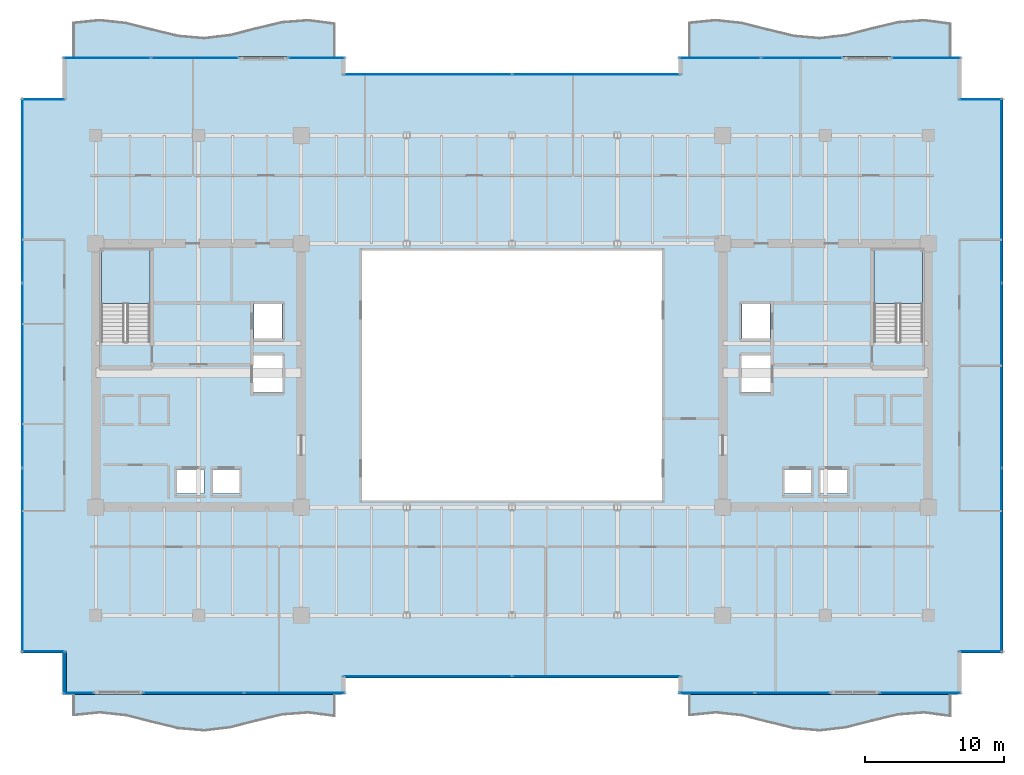
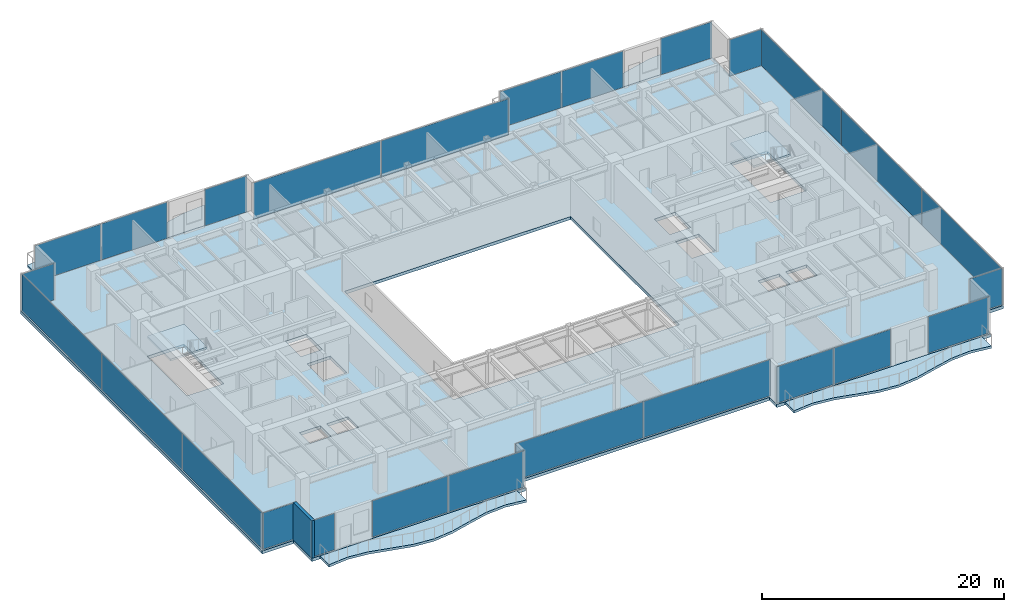
# One storey, part 22 of 30: 26 plates, 7 slabs, 1 wall, 18 elements without a shape of their own.
"""IFC4 building model written with IfcOpenShell, lengths in metres."""

from ifc_helpers import new_model, si_unit, direction, frame, frame_2d, origin, origin_2d, place, context, subcontext, project, spatial, polyline, rectangle, outline, extrude, source, transform, mapped, material, layer, layer_set, type_object, type_shapes, element, aggregate, save


model = new_model("IFC4")

# Units and contexts
model_context = context("Model", 3, precision=1e-05, world=origin(), true_north=direction((0.0, 1.0)))
body_context = subcontext(model_context, "Body", "Model", "MODEL_VIEW")
ifc_project = project(units=[si_unit("LENGTHUNIT", "METRE"), si_unit("AREAUNIT", "SQUARE_METRE"), si_unit("VOLUMEUNIT", "CUBIC_METRE"), si_unit("PLANEANGLEUNIT", "RADIAN"), si_unit("MASSUNIT", "GRAM", prefix="KILO")], contexts=[model_context])

# Site, building, storey
site_placement = place(None, origin())
site = spatial("IfcSite", under=ifc_project, at=site_placement, CompositionType="ELEMENT")
building_placement = place(site_placement, origin())
building = spatial("IfcBuilding", under=site, at=building_placement, Name="Haelvirn Gate Laboratories", CompositionType="ELEMENT")
storey_placement = place(building_placement, frame((0.0, 0.0, 113.300048828125)))
storey = spatial("IfcBuildingStorey", under=building, at=storey_placement, Name="L27", CompositionType="ELEMENT", Elevation=113.300048828125)

# Stair, slab
ifc_material_1 = material(Name="Concrete C40/50", Category="concrete")
stair_type = type_object("IfcStairType", Name="ST-DOG-1650-R22", PredefinedType="HALF_TURN_STAIR", material=ifc_material_1)
stair_1_placement = place(storey_placement, origin())
stair_1 = element("IfcStair", 1, at=stair_1_placement, inside=storey, type_object=stair_type, Name="L27 Escape Stair ST1", PredefinedType="HALF_TURN_STAIR")
ifc_layer_1 = layer(ifc_material_1, 0.199951171875, Name="SL-STAIR-LND")
ifc_layer_set_1 = layer_set([ifc_layer_1], Name="Concrete C40/50")
slab_type_1 = type_object("IfcSlabType", Name="SL-STAIR-LND", PredefinedType="LANDING", material=ifc_layer_set_1)
slab_1_placement = place(storey_placement, frame((0.0, 0.0, 1.849853515625)))
slab_1 = element("IfcSlab", 2, at=slab_1_placement, type_object=slab_type_1, Name="ST1 landing 1", PredefinedType="LANDING", context=body_context, shape_type="SweptSolid", body=[
    extrude(outline(polyline([(11.300048828125, 29.5), (11.300048828125, 33.35009765625), (7.800048828125, 33.35009765625), (7.800048828125, 29.5), (11.300048828125, 29.5)])), origin(), (0.0, 0.0, 1.0), 0.2001953125),
])
aggregate(stair_1, [slab_1])

stair_2_placement = place(storey_placement, origin())
stair_2 = element("IfcStair", 3, at=stair_2_placement, inside=storey, type_object=stair_type, Name="L27 Escape Stair ST2", PredefinedType="HALF_TURN_STAIR")
slab_2_placement = place(storey_placement, frame((0.0, 0.0, 1.849853515625)))
slab_2 = element("IfcSlab", 4, at=slab_2_placement, type_object=slab_type_1, Name="ST2 landing 1", PredefinedType="LANDING", context=body_context, shape_type="SweptSolid", body=[
    extrude(outline(polyline([(67.0, 29.5), (67.0, 33.35009765625), (63.5, 33.35009765625), (63.5, 29.5), (67.0, 29.5)])), origin(), (0.0, 0.0, 1.0), 0.2001953125),
])
aggregate(stair_2, [slab_2])

# Slabs
ifc_layer_2 = layer(ifc_material_1, 0.2451171875, Name="SL-WB-P6")
ifc_layer_set_2 = layer_set([ifc_layer_2], Name="Concrete C40/50")
slab_type_2 = type_object("IfcSlabType", Name="SL-WB-P6", PredefinedType="FLOOR", material=ifc_layer_set_2)
slab_3_placement = place(storey_placement, frame((0.0, 0.0, -0.2451171875)))
element("IfcSlab", 5, at=slab_3_placement, inside=storey, type_object=slab_type_2, Name="L27 Soft-Wave Balcony WL-S", PredefinedType="FLOOR", context=body_context, shape_type="SweptSolid", body=[
    extrude(outline(polyline([(5.800048828125, -0.1904296875), (7.679931640625, 0.0), (9.56005859375, -0.2021484375), (11.43994140625, -0.6748046875), (13.320068359375, -1.13232421875), (15.199951171875, -1.298583984375), (17.080078125, -1.0732421875), (18.9599609375, -0.592041015625), (20.840087890625, -0.14599609375), (22.719970703125, -0.00439453125), (24.60009765625, -0.25244140625), (24.60009765625, 1.300048828125), (22.719970703125, 1.300048828125), (20.840087890625, 1.300048828125), (18.9599609375, 1.300048828125), (17.080078125, 1.300048828125), (15.199951171875, 1.300048828125), (13.320068359375, 1.300048828125), (11.43994140625, 1.300048828125), (9.56005859375, 1.300048828125), (7.679931640625, 1.300048828125), (5.800048828125, 1.300048828125), (5.800048828125, -0.1904296875)])), origin(), (0.0, 0.0, 1.0), 0.2451171875),
])
slab_4_placement = place(storey_placement, frame((0.0, 0.0, -0.2451171875)))
element("IfcSlab", 6, at=slab_4_placement, inside=storey, type_object=slab_type_2, Name="L27 Soft-Wave Balcony WL-N", PredefinedType="FLOOR", context=body_context, shape_type="SweptSolid", body=[
    extrude(outline(polyline([(5.800048828125, 47.300048828125), (7.679931640625, 47.300048828125), (9.56005859375, 47.300048828125), (11.43994140625, 47.300048828125), (13.320068359375, 47.300048828125), (15.199951171875, 47.300048828125), (17.080078125, 47.300048828125), (18.9599609375, 47.300048828125), (20.840087890625, 47.300048828125), (22.719970703125, 47.300048828125), (24.60009765625, 47.300048828125), (24.60009765625, 49.6474609375), (22.719970703125, 49.895751953125), (20.840087890625, 49.75390625), (18.9599609375, 49.307861328125), (17.080078125, 48.826904296875), (15.199951171875, 48.601318359375), (13.320068359375, 48.767578125), (11.43994140625, 49.22509765625), (9.56005859375, 49.69775390625), (7.679931640625, 49.89990234375), (5.800048828125, 49.709716796875), (5.800048828125, 47.300048828125)])), origin(), (0.0, 0.0, 1.0), 0.2451171875),
])
slab_5_placement = place(storey_placement, frame((0.0, 0.0, -0.2451171875)))
element("IfcSlab", 7, at=slab_5_placement, inside=storey, type_object=slab_type_2, Name="L27 Soft-Wave Balcony EL-S", PredefinedType="FLOOR", context=body_context, shape_type="SweptSolid", body=[
    extrude(outline(polyline([(50.199951171875, -0.1904296875), (52.080078125, 0.0), (53.9599609375, -0.2021484375), (55.840087890625, -0.6748046875), (57.719970703125, -1.13232421875), (59.60009765625, -1.298583984375), (61.47998046875, -1.0732421875), (63.360107421875, -0.592041015625), (65.239990234375, -0.14599609375), (67.1201171875, -0.00439453125), (69.0, -0.25244140625), (69.0, 1.300048828125), (67.1201171875, 1.300048828125), (65.239990234375, 1.300048828125), (63.360107421875, 1.300048828125), (61.47998046875, 1.300048828125), (59.60009765625, 1.300048828125), (57.719970703125, 1.300048828125), (55.840087890625, 1.300048828125), (53.9599609375, 1.300048828125), (52.080078125, 1.300048828125), (50.199951171875, 1.300048828125), (50.199951171875, -0.1904296875)])), origin(), (0.0, 0.0, 1.0), 0.2451171875),
])
slab_6_placement = place(storey_placement, frame((0.0, 0.0, -0.2451171875)))
element("IfcSlab", 8, at=slab_6_placement, inside=storey, type_object=slab_type_2, Name="L27 Soft-Wave Balcony EL-N", PredefinedType="FLOOR", context=body_context, shape_type="SweptSolid", body=[
    extrude(outline(polyline([(50.199951171875, 47.300048828125), (52.080078125, 47.300048828125), (53.9599609375, 47.300048828125), (55.840087890625, 47.300048828125), (57.719970703125, 47.300048828125), (59.60009765625, 47.300048828125), (61.47998046875, 47.300048828125), (63.360107421875, 47.300048828125), (65.239990234375, 47.300048828125), (67.1201171875, 47.300048828125), (69.0, 47.300048828125), (69.0, 49.6474609375), (67.1201171875, 49.895751953125), (65.239990234375, 49.75390625), (63.360107421875, 49.307861328125), (61.47998046875, 48.826904296875), (59.60009765625, 48.601318359375), (57.719970703125, 48.767578125), (55.840087890625, 49.22509765625), (53.9599609375, 49.69775390625), (52.080078125, 49.89990234375), (50.199951171875, 49.709716796875), (50.199951171875, 47.300048828125)])), origin(), (0.0, 0.0, 1.0), 0.2451171875),
])
ifc_layer_3 = layer(ifc_material_1, 0.31005859375, Name="SL-Z2-310")
ifc_layer_set_3 = layer_set([ifc_layer_3], Name="Concrete C40/50")
slab_type_3 = type_object("IfcSlabType", Name="SL-Z2-310", PredefinedType="FLOOR", material=ifc_layer_set_3)
slab_7_placement = place(storey_placement, frame((0.0, 0.0, -0.31005859375)))
element("IfcSlab", 9, at=slab_7_placement, inside=storey, type_object=slab_type_3, Name="L27 Structural Slab MAIN", PredefinedType="FLOOR", context=body_context, shape_type="SweptSolid", body=[
    extrude(outline(polyline([(5.0, 1.300048828125), (25.39990234375, 1.300048828125), (25.39990234375, 2.5), (49.39990234375, 2.5), (49.39990234375, 1.300048828125), (69.800048828125, 1.300048828125), (69.800048828125, 4.300048828125), (72.800048828125, 4.300048828125), (72.800048828125, 44.300048828125), (69.800048828125, 44.300048828125), (69.800048828125, 47.300048828125), (49.39990234375, 47.300048828125), (49.39990234375, 46.10009765625), (25.39990234375, 46.10009765625), (25.39990234375, 47.300048828125), (5.0, 47.300048828125), (5.0, 44.300048828125), (2.0, 44.300048828125), (2.0, 4.300048828125), (5.0, 4.300048828125), (5.0, 1.300048828125)]), holes=[polyline([(26.60009765625, 15.300048828125), (48.199951171875, 15.300048828125), (48.199951171875, 33.300048828125), (26.60009765625, 33.300048828125), (26.60009765625, 15.300048828125)]), polyline([(11.300048828125, 26.780029296875), (11.300048828125, 33.35009765625), (7.800048828125, 33.35009765625), (7.800048828125, 26.780029296875), (11.300048828125, 26.780029296875)]), polyline([(67.0, 26.780029296875), (67.0, 33.35009765625), (63.5, 33.35009765625), (63.5, 26.780029296875), (67.0, 26.780029296875)]), polyline([(13.18994140625, 15.77001953125), (15.2099609375, 15.77001953125), (15.2099609375, 17.510009765625), (13.18994140625, 17.510009765625), (13.18994140625, 15.77001953125)]), polyline([(15.7900390625, 15.77001953125), (17.81005859375, 15.77001953125), (17.81005859375, 17.510009765625), (15.7900390625, 17.510009765625), (15.7900390625, 15.77001953125)]), polyline([(18.7900390625, 26.969970703125), (20.81005859375, 26.969970703125), (20.81005859375, 29.510009765625), (18.7900390625, 29.510009765625), (18.7900390625, 26.969970703125)]), polyline([(18.68994140625, 23.070068359375), (20.909912109375, 23.070068359375), (20.909912109375, 25.81005859375), (18.68994140625, 25.81005859375), (18.68994140625, 23.070068359375)]), polyline([(59.590087890625, 15.77001953125), (61.610107421875, 15.77001953125), (61.610107421875, 17.510009765625), (59.590087890625, 17.510009765625), (59.590087890625, 15.77001953125)]), polyline([(56.989990234375, 15.77001953125), (59.010009765625, 15.77001953125), (59.010009765625, 17.510009765625), (56.989990234375, 17.510009765625), (56.989990234375, 15.77001953125)]), polyline([(53.989990234375, 26.969970703125), (56.010009765625, 26.969970703125), (56.010009765625, 29.510009765625), (53.989990234375, 29.510009765625), (53.989990234375, 26.969970703125)]), polyline([(53.889892578125, 23.070068359375), (56.110107421875, 23.070068359375), (56.110107421875, 25.81005859375), (53.889892578125, 25.81005859375), (53.889892578125, 23.070068359375)])]), origin(), (0.0, 0.0, 1.0), 0.31005859375),
])

# Curtain wall, plates
ifc_material_2 = material(Name="Anodised bronze unitised aluminium & triple low-E glass", Category="aluminium")
ifc_layer_4 = layer(ifc_material_2, 0.179931640625, Name="CW-SYS-3")
ifc_layer_set_4 = layer_set([ifc_layer_4], Name="Anodised bronze unitised aluminium & triple low-E glass")
curtain_wall_type_1 = type_object("IfcCurtainWallType", Name="CW-SYS-3", PredefinedType="NOTDEFINED", material=ifc_layer_set_4)
curtain_wall_1_placement = place(storey_placement, origin())
curtain_wall_1 = element("IfcCurtainWall", 10, at=curtain_wall_1_placement, inside=storey, type_object=curtain_wall_type_1, Name="L27 Unitised Curtain Wall CW-L27-P0-E02-1", PredefinedType="NOTDEFINED")
ifc_material_3 = material(Name="High-selectivity bronze triple IGU 40 mm", Category="glass")
ifc_layer_5 = layer(ifc_material_3, 0.0400390625, Name="CWP-IGU-40")
ifc_layer_set_5 = layer_set([ifc_layer_5], Name="High-selectivity bronze triple IGU 40 mm")
plate_type_1 = type_object("IfcPlateType", Name="CWP-IGU-40", PredefinedType="CURTAIN_PANEL", material=ifc_layer_set_5)
shared_shape_1 = source(origin(), body_context, "Body", "SweptSolid", [
    extrude(rectangle(XDim=12.12744140625, YDim=0.0400390625, at=origin_2d()), origin(), (0.0, 0.0, 1.0), 3.659912109375),
])
plate_1_placement = place(storey_placement, frame((31.298828125, 2.60009765625, 0.06494140625), z_axis=(0.0, 0.0, 1.0), x_axis=(1.0, 0.0, 0.0)))
plate_1 = element("IfcPlate", 11, at=plate_1_placement, type_object=plate_type_1, Name="CW3 panel 1.1", PredefinedType="CURTAIN_PANEL", context=body_context, shape_type="MappedRepresentation", body=[
    mapped(shared_shape_1, transform((0.0, 0.0, 0.0), scale=1.0)),
])
plate_2_placement = place(storey_placement, frame((43.501220703125, 2.60009765625, 0.06494140625), z_axis=(0.0, 0.0, 1.0), x_axis=(1.0, 0.0, 0.0)))
plate_2 = element("IfcPlate", 12, at=plate_2_placement, type_object=plate_type_1, Name="CW3 panel 2.1", PredefinedType="CURTAIN_PANEL", context=body_context, shape_type="MappedRepresentation", body=[
    mapped(shared_shape_1, transform((0.0, 0.0, 0.0), scale=1.0)),
])
aggregate(curtain_wall_1, [plate_1, plate_2])

curtain_wall_2_placement = place(storey_placement, origin())
curtain_wall_2 = element("IfcCurtainWall", 13, at=curtain_wall_2_placement, inside=storey, type_object=curtain_wall_type_1, Name="L27 Unitised Curtain Wall CW-L27-P0-E12-1", PredefinedType="NOTDEFINED")
plate_3_placement = place(storey_placement, frame((31.298828125, 46.0, 0.06494140625), z_axis=(0.0, 0.0, 1.0), x_axis=(1.0, 0.0, 0.0)))
plate_3 = element("IfcPlate", 14, at=plate_3_placement, type_object=plate_type_1, Name="CW3 panel 1.1", PredefinedType="CURTAIN_PANEL", context=body_context, shape_type="MappedRepresentation", body=[
    mapped(shared_shape_1, transform((0.0, 0.0, 0.0), scale=1.0)),
])
plate_4_placement = place(storey_placement, frame((43.501220703125, 46.0, 0.06494140625), z_axis=(0.0, 0.0, 1.0), x_axis=(1.0, 0.0, 0.0)))
plate_4 = element("IfcPlate", 15, at=plate_4_placement, type_object=plate_type_1, Name="CW3 panel 2.1", PredefinedType="CURTAIN_PANEL", context=body_context, shape_type="MappedRepresentation", body=[
    mapped(shared_shape_1, transform((0.0, 0.0, 0.0), scale=1.0)),
])
aggregate(curtain_wall_2, [plate_3, plate_4])

# Curtain wall, plate
ifc_layer_6 = layer(ifc_material_2, 0.181884765625, Name="CW-SYS-5")
ifc_layer_set_6 = layer_set([ifc_layer_6], Name="Anodised bronze unitised aluminium & triple low-E glass")
curtain_wall_type_2 = type_object("IfcCurtainWallType", Name="CW-SYS-5", PredefinedType="NOTDEFINED", material=ifc_layer_set_6)
curtain_wall_3_placement = place(storey_placement, origin())
curtain_wall_3 = element("IfcCurtainWall", 16, at=curtain_wall_3_placement, inside=storey, type_object=curtain_wall_type_2, Name="L27 Unitised Curtain Wall CW-L27-P0-E06-1", PredefinedType="NOTDEFINED")
ifc_material_4 = material(Name="Clear low-iron notched-corner triple IGU 42 mm", Category="glass")
ifc_layer_7 = layer(ifc_material_4, 0.0419921875, Name="CWP-NTC-42")
ifc_layer_set_7 = layer_set([ifc_layer_7], Name="Clear low-iron notched-corner triple IGU 42 mm")
plate_type_2 = type_object("IfcPlateType", Name="CWP-NTC-42", PredefinedType="CURTAIN_PANEL", material=ifc_layer_set_7)
shared_shape_2 = source(origin(), body_context, "Body", "SweptSolid", [
    extrude(rectangle(XDim=3.080078125, YDim=0.0419921875, at=origin_2d()), origin(), (0.0, 0.0, 1.0), 3.659912109375),
])
type_shapes(plate_type_2, [shared_shape_2])
plate_5_placement = place(storey_placement, frame((71.179931640625, 4.39990234375, 0.06494140625), z_axis=(0.0, 0.0, 1.0), x_axis=(1.0, 0.0, 0.0)))
plate_5 = element("IfcPlate", 17, at=plate_5_placement, type_object=plate_type_2, Name="CW5 panel 1.1", PredefinedType="CURTAIN_PANEL", context=body_context, shape_type="MappedRepresentation", body=[
    mapped(shared_shape_2, transform((0.0, 0.0, 0.0), scale=1.0)),
])
aggregate(curtain_wall_3, [plate_5])

curtain_wall_4_placement = place(storey_placement, origin())
curtain_wall_4 = element("IfcCurtainWall", 18, at=curtain_wall_4_placement, inside=storey, type_object=curtain_wall_type_2, Name="L27 Unitised Curtain Wall CW-L27-P0-E08-1", PredefinedType="NOTDEFINED")
plate_6_placement = place(storey_placement, frame((71.179931640625, 44.199951171875, 0.06494140625), z_axis=(0.0, 0.0, 1.0), x_axis=(1.0, 0.0, 0.0)))
plate_6 = element("IfcPlate", 19, at=plate_6_placement, type_object=plate_type_2, Name="CW5 panel 1.1", PredefinedType="CURTAIN_PANEL", context=body_context, shape_type="MappedRepresentation", body=[
    mapped(shared_shape_2, transform((0.0, 0.0, 0.0), scale=1.0)),
])
aggregate(curtain_wall_4, [plate_6])

curtain_wall_5_placement = place(storey_placement, origin())
curtain_wall_5 = element("IfcCurtainWall", 20, at=curtain_wall_5_placement, inside=storey, type_object=curtain_wall_type_2, Name="L27 Unitised Curtain Wall CW-L27-P0-E16-1", PredefinedType="NOTDEFINED")
plate_7_placement = place(storey_placement, frame((3.6201171875, 44.199951171875, 0.06494140625), z_axis=(0.0, 0.0, 1.0), x_axis=(1.0, 0.0, 0.0)))
plate_7 = element("IfcPlate", 21, at=plate_7_placement, type_object=plate_type_2, Name="CW5 panel 1.1", PredefinedType="CURTAIN_PANEL", context=body_context, shape_type="MappedRepresentation", body=[
    mapped(shared_shape_2, transform((0.0, 0.0, 0.0), scale=1.0)),
])
aggregate(curtain_wall_5, [plate_7])

curtain_wall_6_placement = place(storey_placement, origin())
curtain_wall_6 = element("IfcCurtainWall", 22, at=curtain_wall_6_placement, inside=storey, type_object=curtain_wall_type_2, Name="L27 Unitised Curtain Wall CW-L27-P0-E18-1", PredefinedType="NOTDEFINED")
plate_8_placement = place(storey_placement, frame((3.6201171875, 4.39990234375, 0.06494140625), z_axis=(0.0, 0.0, 1.0), x_axis=(1.0, 0.0, 0.0)))
plate_8 = element("IfcPlate", 23, at=plate_8_placement, type_object=plate_type_2, Name="CW5 panel 1.1", PredefinedType="CURTAIN_PANEL", context=body_context, shape_type="MappedRepresentation", body=[
    mapped(shared_shape_2, transform((0.0, 0.0, 0.0), scale=1.0)),
])
aggregate(curtain_wall_6, [plate_8])

# Curtain wall, plates
curtain_wall_7_placement = place(storey_placement, origin())
curtain_wall_7 = element("IfcCurtainWall", 24, at=curtain_wall_7_placement, inside=storey, type_object=curtain_wall_type_1, Name="L27 Unitised Curtain Wall CW-L27-P0-E07", PredefinedType="NOTDEFINED")
shared_shape_3 = source(origin(), body_context, "Body", "SweptSolid", [
    extrude(rectangle(XDim=13.220947265625, YDim=0.0400390625, at=origin_2d()), origin(), (0.0, 0.0, 1.0), 3.659912109375),
])
plate_9_placement = place(storey_placement, frame((72.699951171875, 10.9853515625, 0.06494140625), z_axis=(0.0, 0.0, 1.0), x_axis=(0.0, 1.0, 0.0)))
plate_9 = element("IfcPlate", 25, at=plate_9_placement, type_object=plate_type_1, Name="CW3 panel 1.1", PredefinedType="CURTAIN_PANEL", context=body_context, shape_type="MappedRepresentation", body=[
    mapped(shared_shape_3, transform((0.0, 0.0, 0.0), scale=1.0)),
])
plate_10_placement = place(storey_placement, frame((72.699951171875, 37.614501953125, 0.06494140625), z_axis=(0.0, 0.0, 1.0), x_axis=(0.0, 1.0, 0.0)))
plate_10 = element("IfcPlate", 26, at=plate_10_placement, type_object=plate_type_1, Name="CW3 panel 3.1", PredefinedType="CURTAIN_PANEL", context=body_context, shape_type="MappedRepresentation", body=[
    mapped(shared_shape_3, transform((0.0, 0.0, 0.0), scale=1.0)),
])

curtain_wall_8_placement = place(storey_placement, origin())
curtain_wall_8 = element("IfcCurtainWall", 27, at=curtain_wall_8_placement, inside=storey, type_object=curtain_wall_type_1, Name="L27 Unitised Curtain Wall CW-L27-P0-E17", PredefinedType="NOTDEFINED")
plate_11_placement = place(storey_placement, frame((2.10009765625, 37.614501953125, 0.06494140625), z_axis=(0.0, 0.0, 1.0), x_axis=(0.0, -1.0, 0.0)))
plate_11 = element("IfcPlate", 28, at=plate_11_placement, type_object=plate_type_1, Name="CW3 panel 1.1", PredefinedType="CURTAIN_PANEL", context=body_context, shape_type="MappedRepresentation", body=[
    mapped(shared_shape_3, transform((0.0, 0.0, 0.0), scale=1.0)),
])
plate_12_placement = place(storey_placement, frame((2.10009765625, 10.9853515625, 0.06494140625), z_axis=(0.0, 0.0, 1.0), x_axis=(0.0, -1.0, 0.0)))
plate_12 = element("IfcPlate", 29, at=plate_12_placement, type_object=plate_type_1, Name="CW3 panel 3.1", PredefinedType="CURTAIN_PANEL", context=body_context, shape_type="MappedRepresentation", body=[
    mapped(shared_shape_3, transform((0.0, 0.0, 0.0), scale=1.0)),
])

# Plate
shared_shape_4 = source(origin(), body_context, "Body", "SweptSolid", [
    extrude(rectangle(XDim=13.25830078125, YDim=0.0400390625, at=origin_2d()), origin(), (0.0, 0.0, 1.0), 3.659912109375),
])
plate_13_placement = place(storey_placement, frame((72.699951171875, 24.300048828125, 0.06494140625), z_axis=(0.0, 0.0, 1.0), x_axis=(0.0, 1.0, 0.0)))
plate_13 = element("IfcPlate", 30, at=plate_13_placement, type_object=plate_type_1, Name="CW3 panel 2.1", PredefinedType="CURTAIN_PANEL", context=body_context, shape_type="MappedRepresentation", body=[
    mapped(shared_shape_4, transform((0.0, 0.0, 0.0), scale=1.0)),
])

aggregate(curtain_wall_7, [plate_9, plate_13, plate_10])

plate_14_placement = place(storey_placement, frame((2.10009765625, 24.300048828125, 0.06494140625), z_axis=(0.0, 0.0, 1.0), x_axis=(0.0, -1.0, 0.0)))
plate_14 = element("IfcPlate", 31, at=plate_14_placement, type_object=plate_type_1, Name="CW3 panel 2.1", PredefinedType="CURTAIN_PANEL", context=body_context, shape_type="MappedRepresentation", body=[
    mapped(shared_shape_4, transform((0.0, 0.0, 0.0), scale=1.0)),
])

aggregate(curtain_wall_8, [plate_11, plate_14, plate_12])

# Curtain wall, plate
curtain_wall_9_placement = place(storey_placement, origin())
curtain_wall_9 = element("IfcCurtainWall", 32, at=curtain_wall_9_placement, inside=storey, type_object=curtain_wall_type_1, Name="L27 Unitised Curtain Wall CW-L27-P0-E00-1", PredefinedType="NOTDEFINED")
shared_shape_5 = source(origin(), body_context, "Body", "SweptSolid", [
    extrude(rectangle(XDim=2.159912109375, YDim=0.0400390625, at=origin_2d()), origin(), (0.0, 0.0, 1.0), 3.659912109375),
])
plate_15_placement = place(storey_placement, frame((6.155029296875, 1.39990234375, 0.06494140625), z_axis=(0.0, 0.0, 1.0), x_axis=(1.0, 0.0, 0.0)))
plate_15 = element("IfcPlate", 33, at=plate_15_placement, type_object=plate_type_1, Name="CW3 panel 1.1", PredefinedType="CURTAIN_PANEL", context=body_context, shape_type="MappedRepresentation", body=[
    mapped(shared_shape_5, transform((0.0, 0.0, 0.0), scale=1.0)),
])
aggregate(curtain_wall_9, [plate_15])

# Curtain wall, plates
curtain_wall_10_placement = place(storey_placement, origin())
curtain_wall_10 = element("IfcCurtainWall", 34, at=curtain_wall_10_placement, inside=storey, type_object=curtain_wall_type_1, Name="L27 Unitised Curtain Wall CW-L27-P0-E00-2", PredefinedType="NOTDEFINED")
shared_shape_6 = source(origin(), body_context, "Body", "SweptSolid", [
    extrude(rectangle(XDim=7.21240234375, YDim=0.0400390625, at=origin_2d()), origin(), (0.0, 0.0, 1.0), 3.659912109375),
])
plate_16_placement = place(storey_placement, frame((14.43115234375, 1.39990234375, 0.06494140625), z_axis=(0.0, 0.0, 1.0), x_axis=(1.0, 0.0, 0.0)))
plate_16 = element("IfcPlate", 35, at=plate_16_placement, type_object=plate_type_1, Name="CW3 panel 1.1", PredefinedType="CURTAIN_PANEL", context=body_context, shape_type="MappedRepresentation", body=[
    mapped(shared_shape_6, transform((0.0, 0.0, 0.0), scale=1.0)),
])
plate_17_placement = place(storey_placement, frame((21.71875, 1.39990234375, 0.06494140625), z_axis=(0.0, 0.0, 1.0), x_axis=(1.0, 0.0, 0.0)))
plate_17 = element("IfcPlate", 36, at=plate_17_placement, type_object=plate_type_1, Name="CW3 panel 2.1", PredefinedType="CURTAIN_PANEL", context=body_context, shape_type="MappedRepresentation", body=[
    mapped(shared_shape_6, transform((0.0, 0.0, 0.0), scale=1.0)),
])
aggregate(curtain_wall_10, [plate_16, plate_17])

curtain_wall_11_placement = place(storey_placement, origin())
curtain_wall_11 = element("IfcCurtainWall", 37, at=curtain_wall_11_placement, inside=storey, type_object=curtain_wall_type_1, Name="L27 Unitised Curtain Wall CW-L27-P0-E04-1", PredefinedType="NOTDEFINED")
shared_shape_7 = source(origin(), body_context, "Body", "SweptSolid", [
    extrude(rectangle(XDim=5.382568359375, YDim=0.0400390625, at=origin_2d()), origin(), (0.0, 0.0, 1.0), 3.659912109375),
])
plate_18_placement = place(storey_placement, frame((52.166259765625, 1.39990234375, 0.06494140625), z_axis=(0.0, 0.0, 1.0), x_axis=(1.0, 0.0, 0.0)))
plate_18 = element("IfcPlate", 38, at=plate_18_placement, type_object=plate_type_1, Name="CW3 panel 1.1", PredefinedType="CURTAIN_PANEL", context=body_context, shape_type="MappedRepresentation", body=[
    mapped(shared_shape_7, transform((0.0, 0.0, 0.0), scale=1.0)),
])
plate_19_placement = place(storey_placement, frame((57.623779296875, 1.39990234375, 0.06494140625), z_axis=(0.0, 0.0, 1.0), x_axis=(1.0, 0.0, 0.0)))
plate_19 = element("IfcPlate", 39, at=plate_19_placement, type_object=plate_type_1, Name="CW3 panel 2.1", PredefinedType="CURTAIN_PANEL", context=body_context, shape_type="MappedRepresentation", body=[
    mapped(shared_shape_7, transform((0.0, 0.0, 0.0), scale=1.0)),
])
aggregate(curtain_wall_11, [plate_18, plate_19])

# Curtain wall, plate
curtain_wall_12_placement = place(storey_placement, origin())
curtain_wall_12 = element("IfcCurtainWall", 40, at=curtain_wall_12_placement, inside=storey, type_object=curtain_wall_type_1, Name="L27 Unitised Curtain Wall CW-L27-P0-E04-2", PredefinedType="NOTDEFINED")
shared_shape_8 = source(origin(), body_context, "Body", "SweptSolid", [
    extrude(rectangle(XDim=5.820068359375, YDim=0.0400390625, at=origin_2d()), origin(), (0.0, 0.0, 1.0), 3.659912109375),
])
plate_20_placement = place(storey_placement, frame((66.81494140625, 1.39990234375, 0.06494140625), z_axis=(0.0, 0.0, 1.0), x_axis=(1.0, 0.0, 0.0)))
plate_20 = element("IfcPlate", 41, at=plate_20_placement, type_object=plate_type_1, Name="CW3 panel 1.1", PredefinedType="CURTAIN_PANEL", context=body_context, shape_type="MappedRepresentation", body=[
    mapped(shared_shape_8, transform((0.0, 0.0, 0.0), scale=1.0)),
])
aggregate(curtain_wall_12, [plate_20])

# Curtain wall, plates
curtain_wall_13_placement = place(storey_placement, origin())
curtain_wall_13 = element("IfcCurtainWall", 42, at=curtain_wall_13_placement, inside=storey, type_object=curtain_wall_type_1, Name="L27 Unitised Curtain Wall CW-L27-P0-E10-1", PredefinedType="NOTDEFINED")
shared_shape_9 = source(origin(), body_context, "Body", "SweptSolid", [
    extrude(rectangle(XDim=5.83251953125, YDim=0.0400390625, at=origin_2d()), origin(), (0.0, 0.0, 1.0), 3.659912109375),
])
plate_21_placement = place(storey_placement, frame((52.391357421875, 47.199951171875, 0.06494140625), z_axis=(0.0, 0.0, 1.0), x_axis=(1.0, 0.0, 0.0)))
plate_21 = element("IfcPlate", 43, at=plate_21_placement, type_object=plate_type_1, Name="CW3 panel 1.1", PredefinedType="CURTAIN_PANEL", context=body_context, shape_type="MappedRepresentation", body=[
    mapped(shared_shape_9, transform((0.0, 0.0, 0.0), scale=1.0)),
])
plate_22_placement = place(storey_placement, frame((58.298828125, 47.199951171875, 0.06494140625), z_axis=(0.0, 0.0, 1.0), x_axis=(1.0, 0.0, 0.0)))
plate_22 = element("IfcPlate", 44, at=plate_22_placement, type_object=plate_type_1, Name="CW3 panel 2.1", PredefinedType="CURTAIN_PANEL", context=body_context, shape_type="MappedRepresentation", body=[
    mapped(shared_shape_9, transform((0.0, 0.0, 0.0), scale=1.0)),
])
aggregate(curtain_wall_13, [plate_21, plate_22])

# Curtain wall, plate
curtain_wall_14_placement = place(storey_placement, origin())
curtain_wall_14 = element("IfcCurtainWall", 45, at=curtain_wall_14_placement, inside=storey, type_object=curtain_wall_type_1, Name="L27 Unitised Curtain Wall CW-L27-P0-E10-2", PredefinedType="NOTDEFINED")
shared_shape_10 = source(origin(), body_context, "Body", "SweptSolid", [
    extrude(rectangle(XDim=4.919921875, YDim=0.0400390625, at=origin_2d()), origin(), (0.0, 0.0, 1.0), 3.659912109375),
])
plate_23_placement = place(storey_placement, frame((67.264892578125, 47.199951171875, 0.06494140625), z_axis=(0.0, 0.0, 1.0), x_axis=(1.0, 0.0, 0.0)))
plate_23 = element("IfcPlate", 46, at=plate_23_placement, type_object=plate_type_1, Name="CW3 panel 1.1", PredefinedType="CURTAIN_PANEL", context=body_context, shape_type="MappedRepresentation", body=[
    mapped(shared_shape_10, transform((0.0, 0.0, 0.0), scale=1.0)),
])
aggregate(curtain_wall_14, [plate_23])

# Curtain wall, plates
curtain_wall_15_placement = place(storey_placement, origin())
curtain_wall_15 = element("IfcCurtainWall", 47, at=curtain_wall_15_placement, inside=storey, type_object=curtain_wall_type_1, Name="L27 Unitised Curtain Wall CW-L27-P0-E14-1", PredefinedType="NOTDEFINED")
shared_shape_11 = source(origin(), body_context, "Body", "SweptSolid", [
    extrude(rectangle(XDim=6.264892578125, YDim=0.0400390625, at=origin_2d()), origin(), (0.0, 0.0, 1.0), 3.659912109375),
])
plate_24_placement = place(storey_placement, frame((8.20751953125, 47.199951171875, 0.06494140625), z_axis=(0.0, 0.0, 1.0), x_axis=(1.0, 0.0, 0.0)))
plate_24 = element("IfcPlate", 48, at=plate_24_placement, type_object=plate_type_1, Name="CW3 panel 1.1", PredefinedType="CURTAIN_PANEL", context=body_context, shape_type="MappedRepresentation", body=[
    mapped(shared_shape_11, transform((0.0, 0.0, 0.0), scale=1.0)),
])
plate_25_placement = place(storey_placement, frame((14.547607421875, 47.199951171875, 0.06494140625), z_axis=(0.0, 0.0, 1.0), x_axis=(1.0, 0.0, 0.0)))
plate_25 = element("IfcPlate", 49, at=plate_25_placement, type_object=plate_type_1, Name="CW3 panel 2.1", PredefinedType="CURTAIN_PANEL", context=body_context, shape_type="MappedRepresentation", body=[
    mapped(shared_shape_11, transform((0.0, 0.0, 0.0), scale=1.0)),
])
aggregate(curtain_wall_15, [plate_24, plate_25])

# Curtain wall, plate
curtain_wall_16_placement = place(storey_placement, origin())
curtain_wall_16 = element("IfcCurtainWall", 50, at=curtain_wall_16_placement, inside=storey, type_object=curtain_wall_type_1, Name="L27 Unitised Curtain Wall CW-L27-P0-E14-2", PredefinedType="NOTDEFINED")
shared_shape_12 = source(origin(), body_context, "Body", "SweptSolid", [
    extrude(rectangle(XDim=4.054931640625, YDim=0.0400390625, at=origin_2d()), origin(), (0.0, 0.0, 1.0), 3.659912109375),
])
type_shapes(plate_type_1, [shared_shape_1, shared_shape_3, shared_shape_4, shared_shape_5, shared_shape_6, shared_shape_7, shared_shape_8, shared_shape_9, shared_shape_10, shared_shape_11, shared_shape_12])
plate_26_placement = place(storey_placement, frame((23.297607421875, 47.199951171875, 0.06494140625), z_axis=(0.0, 0.0, 1.0), x_axis=(1.0, 0.0, 0.0)))
plate_26 = element("IfcPlate", 51, at=plate_26_placement, type_object=plate_type_1, Name="CW3 panel 1.1", PredefinedType="CURTAIN_PANEL", context=body_context, shape_type="MappedRepresentation", body=[
    mapped(shared_shape_12, transform((0.0, 0.0, 0.0), scale=1.0)),
])
aggregate(curtain_wall_16, [plate_26])

# Wall
ifc_material_5 = material(Name="Thermally-broken bronze aluminium rainscreen & mineral wool", Category="aluminium")
ifc_layer_8 = layer(ifc_material_5, 0.280029296875, Name="EW-TERR-280")
ifc_layer_set_8 = layer_set([ifc_layer_8], Name="Thermally-broken bronze aluminium rainscreen & mineral wool")
wall_type = type_object("IfcWallType", Name="EW-TERR-280", PredefinedType="STANDARD", material=ifc_layer_set_8)
wall_placement = place(storey_placement, frame((5.139892578125, 4.387939453125, 0.0), z_axis=(0.0, 0.0, 1.0), x_axis=(0.0, -1.0, 0.0)))
element("IfcWall", 52, at=wall_placement, inside=storey, type_object=wall_type, Name="L27 Atrium Recess Bronze Return Wall 19", PredefinedType="STANDARD", context=body_context, shape_type="SweptSolid", body=[
    extrude(rectangle(XDim=3.087890625, YDim=0.280029296875, at=frame_2d((1.5439453125, 0.0))), origin(), (0.0, 0.0, 1.0), 3.7900390625),
])

save(model, "model.ifc")
